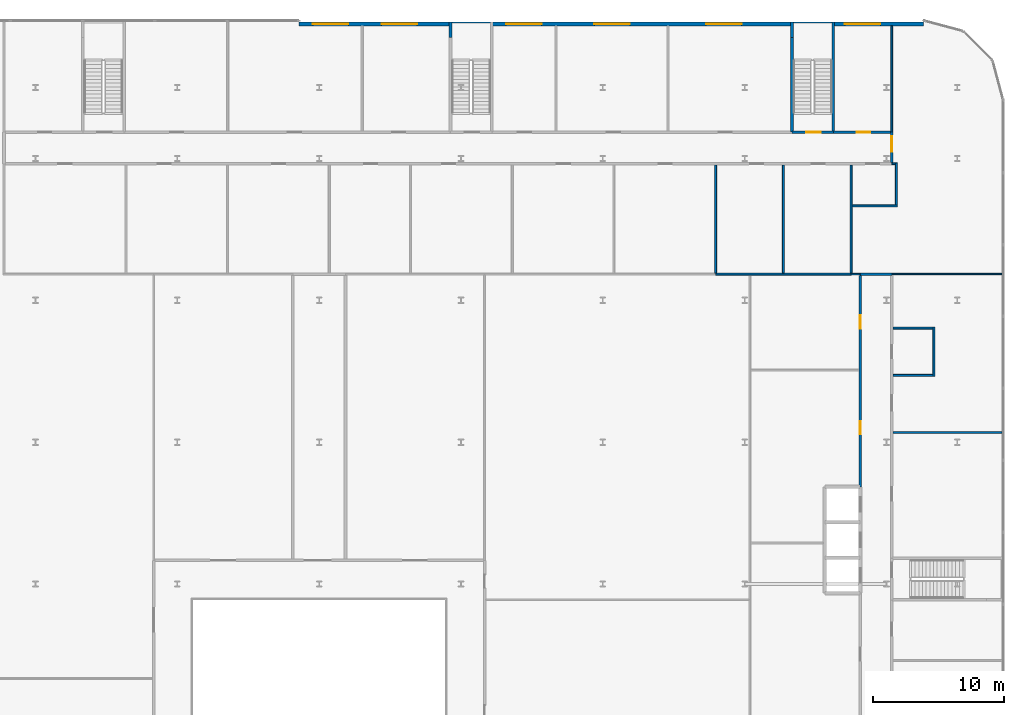
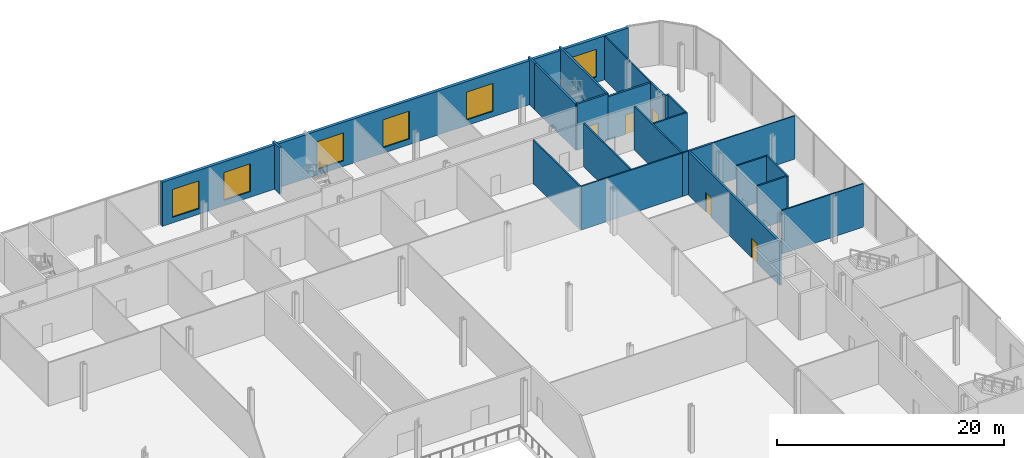
# One storey, part 35 of 47: 24 walls, 6 windows, 5 doors, 11 openings.
"""IFC4 building model written with IfcOpenShell, lengths in metres."""

from ifc_helpers import new_model, si_unit, direction, frame, frame_2d, origin, place, context, subcontext, project, spatial, rectangle, extrude, source, transform, mapped, material, layer, layer_set, type_object, element, fill, save


model = new_model("IFC4")

# Units and contexts
model_context = context("Model", 3, precision=1e-05, world=origin(), true_north=direction((0.0, 1.0)))
body_context = subcontext(model_context, "Body", "Model", "MODEL_VIEW")
ifc_project = project(units=[si_unit("LENGTHUNIT", "METRE"), si_unit("AREAUNIT", "SQUARE_METRE"), si_unit("VOLUMEUNIT", "CUBIC_METRE"), si_unit("PLANEANGLEUNIT", "RADIAN"), si_unit("MASSUNIT", "GRAM", prefix="KILO")], contexts=[model_context])

# Site, building, storey
site_placement = place(None, origin())
site = spatial("IfcSite", under=ifc_project, at=site_placement, CompositionType="ELEMENT")
building_placement = place(site_placement, origin())
building = spatial("IfcBuilding", under=site, at=building_placement, Name="Kheshtan School and Residences Tower", CompositionType="ELEMENT")
storey_placement = place(building_placement, frame((0.0, 0.0, 7.5)))
storey = spatial("IfcBuildingStorey", under=building, at=storey_placement, Name="L01", CompositionType="ELEMENT", Elevation=7.5)

# Walls
ifc_material_1 = material(Name="Gypsum board on steel studs with mineral wool", Category="steel")
ifc_layer_1 = layer(ifc_material_1, 0.125)
ifc_layer_set_1 = layer_set([ifc_layer_1], Name="Acoustic partition 125")
wall_type_1 = type_object("IfcWallType", Name="Acoustic partition 125", PredefinedType="PARTITIONING", material=ifc_layer_set_1)
wall_1_placement = place(storey_placement, frame((120.50390625, 90.800048828125, 0.0), z_axis=(0.0, 0.0, 1.0), x_axis=(1.0, 0.0, 0.0)))
element("IfcWall", 1, at=wall_1_placement, inside=storey, type_object=wall_type_1, Name="Partition L01-076", PredefinedType="PARTITIONING", context=body_context, shape_type="SweptSolid", body=[
    extrude(rectangle(XDim=0.696044921875, YDim=0.125, at=frame_2d((0.34814453125, 0.0))), origin(), (0.0, 0.0, 1.0), 4.679931640625),
])
wall_2_placement = place(storey_placement, frame((123.60009765625, 101.60009765625, 0.0), z_axis=(0.0, 0.0, 1.0), x_axis=(0.0, 1.0, 0.0)))
element("IfcWall", 2, at=wall_2_placement, inside=storey, type_object=wall_type_1, Name="Partition L01-090", PredefinedType="PARTITIONING", context=body_context, shape_type="SweptSolid", body=[
    extrude(rectangle(XDim=8.100830078125, YDim=0.125, at=frame_2d((4.05029296875, 0.0))), origin(), (0.0, 0.0, 1.0), 4.679931640625),
])
wall_3_placement = place(storey_placement, frame((123.699951171875, 78.738037109375, 0.0), z_axis=(0.0, 0.0, 1.0), x_axis=(1.0, 0.0, 0.0)))
element("IfcWall", 3, at=wall_3_placement, inside=storey, type_object=wall_type_1, Name="Partition L01-092", PredefinedType="PARTITIONING", context=body_context, shape_type="SweptSolid", body=[
    extrude(rectangle(XDim=8.300048828125, YDim=0.125, at=frame_2d((4.14990234375, 0.0))), origin(), (0.0, 0.0, 1.0), 4.679931640625),
])

# Wall, opening, door
ifc_material_2 = material(Name="Gypsum board on steel studs with fire boards", Category="steel")
ifc_layer_2 = layer(ifc_material_2, 0.199951171875)
ifc_layer_set_2 = layer_set([ifc_layer_2], Name="Corridor wall 200")
wall_type_2 = type_object("IfcWallType", Name="Corridor wall 200", PredefinedType="PARTITIONING", material=ifc_layer_set_2)
wall_4_placement = place(storey_placement, frame((119.14990234375, 101.60009765625, 0.0), z_axis=(0.0, 0.0, 1.0), x_axis=(1.0, 0.0, 0.0)))
wall_4 = element("IfcWall", 4, at=wall_4_placement, inside=storey, type_object=wall_type_2, Name="Partition L01-075", PredefinedType="PARTITIONING", context=body_context, shape_type="SweptSolid", body=[
    extrude(rectangle(XDim=4.35009765625, YDim=0.199951171875, at=frame_2d((2.175048828125, 0.0))), origin(), (0.0, 0.0, 1.0), 4.679931640625),
])
opening_1_placement = place(wall_4_placement, frame((1.800048828125, 0.0, 0.0)))
opening_1 = element("IfcOpeningElement", 5, at=opening_1_placement, cuts=wall_4, Name="Opening D01-031", PredefinedType="OPENING", context=body_context, shape_type="SweptSolid", body=[
    extrude(rectangle(XDim=1.0, YDim=2.10009765625, at=frame_2d((0.5, 1.050048828125))), frame((0.0, 0.10986328125, 0.0), z_axis=(0.0, -1.0, 0.0), x_axis=(1.0, 0.0, 0.0)), (0.0, 0.0, 1.0), 0.219970703125),
])
ifc_material_3 = material(Name="Steel-framed fire-resisting door leaf", Category="steel")
door_type_1 = type_object("IfcDoorType", Name="Fire door FD60 1000 x 2100", OperationType="SINGLE_SWING_LEFT", PredefinedType="DOOR", material=ifc_material_3)
shared_shape_1 = source(origin(), body_context, "Body", "SweptSolid", [
    extrude(rectangle(XDim=1.0, YDim=2.10009765625, at=frame_2d((0.5, 1.050048828125))), frame((0.0, 0.02490234375, 0.0), z_axis=(0.0, -1.0, 0.0), x_axis=(1.0, 0.0, 0.0)), (0.0, 0.0, 1.0), 0.050048828125),
])
door_1_placement = place(opening_1_placement, origin())
door_1 = element("IfcDoor", 6, at=door_1_placement, inside=storey, type_object=door_type_1, Name="Door D01-031", OperationType="SINGLE_SWING_RIGHT", OverallHeight=2.10009765625, OverallWidth=1.0, PredefinedType="DOOR", context=body_context, shape_type="MappedRepresentation", body=[
    mapped(shared_shape_1, transform((0.0, 0.0, 0.0), x_axis=(1.0, 0.0, 0.0), y_axis=(0.0, 1.0, 0.0), z_axis=(0.0, 0.0, 1.0), scale=1.0)),
])
fill(opening_1, door_1)

# Wall, openings, doors
wall_5_placement = place(storey_placement, frame((121.199951171875, 74.60009765625, 0.0), z_axis=(0.0, 0.0, 1.0), x_axis=(0.0, 1.0, 0.0)))
wall_5 = element("IfcWall", 7, at=wall_5_placement, inside=storey, type_object=wall_type_2, Name="Partition L01-082", PredefinedType="PARTITIONING", context=body_context, shape_type="SweptSolid", body=[
    extrude(rectangle(XDim=16.099853515625, YDim=0.199951171875, at=frame_2d((8.0498046875, 0.0))), origin(), (0.0, 0.0, 1.0), 4.679931640625),
])
opening_2_placement = place(wall_5_placement, frame((3.987060546875, 0.0, 0.0)))
opening_2 = element("IfcOpeningElement", 8, at=opening_2_placement, cuts=wall_5, Name="Opening D01-003", PredefinedType="OPENING", context=body_context, shape_type="SweptSolid", body=[
    extrude(rectangle(XDim=1.0, YDim=2.10009765625, at=frame_2d((0.5, 1.050048828125))), frame((0.0, 0.10986328125, 0.0), z_axis=(0.0, -1.0, 0.0), x_axis=(1.0, 0.0, 0.0)), (0.0, 0.0, 1.0), 0.219970703125),
])
opening_3_placement = place(wall_5_placement, frame((12.050048828125, 0.0, 0.0)))
opening_3 = element("IfcOpeningElement", 9, at=opening_3_placement, cuts=wall_5, Name="Opening D01-004", PredefinedType="OPENING", context=body_context, shape_type="SweptSolid", body=[
    extrude(rectangle(XDim=1.0, YDim=2.10009765625, at=frame_2d((0.5, 1.050048828125))), frame((0.0, 0.10986328125, 0.0), z_axis=(0.0, -1.0, 0.0), x_axis=(1.0, 0.0, 0.0)), (0.0, 0.0, 1.0), 0.219970703125),
])
door_2_placement = place(opening_2_placement, origin())
door_2 = element("IfcDoor", 10, at=door_2_placement, inside=storey, type_object=door_type_1, Name="Door D01-003", OperationType="SINGLE_SWING_LEFT", OverallHeight=2.10009765625, OverallWidth=1.0, PredefinedType="DOOR", context=body_context, shape_type="MappedRepresentation", body=[
    mapped(shared_shape_1, transform((0.0, 0.0, 0.0), x_axis=(1.0, 0.0, 0.0), y_axis=(0.0, 1.0, 0.0), z_axis=(0.0, 0.0, 1.0), scale=1.0)),
])
fill(opening_2, door_2)
door_3_placement = place(opening_3_placement, origin())
door_3 = element("IfcDoor", 11, at=door_3_placement, inside=storey, type_object=door_type_1, Name="Door D01-004", OperationType="SINGLE_SWING_RIGHT", OverallHeight=2.10009765625, OverallWidth=1.0, PredefinedType="DOOR", context=body_context, shape_type="MappedRepresentation", body=[
    mapped(shared_shape_1, transform((0.0, 0.0, 0.0), x_axis=(1.0, 0.0, 0.0), y_axis=(0.0, 1.0, 0.0), z_axis=(0.0, 0.0, 1.0), scale=1.0)),
])
fill(opening_3, door_3)

# Wall
wall_6_placement = place(storey_placement, frame((121.199951171875, 90.800048828125, 0.0), z_axis=(0.0, 0.0, 1.0), x_axis=(1.0, 0.0, 0.0)))
element("IfcWall", 12, at=wall_6_placement, inside=storey, type_object=wall_type_2, Name="Partition L01-083", PredefinedType="PARTITIONING", context=body_context, shape_type="SweptSolid", body=[
    extrude(rectangle(XDim=2.400146484375, YDim=0.199951171875, at=frame_2d((1.2001953125, 0.0))), origin(), (0.0, 0.0, 1.0), 4.679931640625),
])

# Wall, opening, door
wall_7_placement = place(storey_placement, frame((123.60009765625, 99.300048828125, 0.0), z_axis=(0.0, 0.0, 1.0), x_axis=(0.0, 1.0, 0.0)))
wall_7 = element("IfcWall", 13, at=wall_7_placement, inside=storey, type_object=wall_type_2, Name="Partition L01-089", PredefinedType="PARTITIONING", context=body_context, shape_type="SweptSolid", body=[
    extrude(rectangle(XDim=2.300048828125, YDim=0.199951171875, at=frame_2d((1.14990234375, 0.0))), origin(), (0.0, 0.0, 1.0), 4.679931640625),
])
opening_4_placement = place(wall_7_placement, frame((0.800048828125, 0.0, 0.0)))
opening_4 = element("IfcOpeningElement", 14, at=opening_4_placement, cuts=wall_7, Name="Opening D01-015", PredefinedType="OPENING", context=body_context, shape_type="SweptSolid", body=[
    extrude(rectangle(XDim=1.199951171875, YDim=2.10009765625, at=frame_2d((0.60009765625, 1.050048828125))), frame((0.0, 0.10986328125, 0.0), z_axis=(0.0, -1.0, 0.0), x_axis=(1.0, 0.0, 0.0)), (0.0, 0.0, 1.0), 0.219970703125),
])
door_type_2 = type_object("IfcDoorType", Name="Fire door FD60 1200 x 2100", OperationType="SINGLE_SWING_LEFT", PredefinedType="DOOR", material=ifc_material_3)
shared_shape_2 = source(origin(), body_context, "Body", "SweptSolid", [
    extrude(rectangle(XDim=1.199951171875, YDim=2.10009765625, at=frame_2d((0.60009765625, 1.050048828125))), frame((0.0, 0.02490234375, 0.0), z_axis=(0.0, -1.0, 0.0), x_axis=(1.0, 0.0, 0.0)), (0.0, 0.0, 1.0), 0.050048828125),
])
door_4_placement = place(opening_4_placement, origin())
door_4 = element("IfcDoor", 15, at=door_4_placement, inside=storey, type_object=door_type_2, Name="Door D01-015", OperationType="SINGLE_SWING_RIGHT", OverallHeight=2.10009765625, OverallWidth=1.199951171875, PredefinedType="DOOR", context=body_context, shape_type="MappedRepresentation", body=[
    mapped(shared_shape_2, transform((0.0, 0.0, 0.0), x_axis=(1.0, 0.0, 0.0), y_axis=(0.0, 1.0, 0.0), z_axis=(0.0, 0.0, 1.0), scale=1.0)),
])
fill(opening_4, door_4)

# Wall
ifc_material_4 = material(Name="Gypsum board on steel studs", Category="steel")
ifc_layer_3 = layer(ifc_material_4, 0.10009765625)
ifc_layer_set_3 = layer_set([ifc_layer_3], Name="Gypsum partition 100")
wall_type_3 = type_object("IfcWallType", Name="Gypsum partition 100", PredefinedType="PARTITIONING", material=ifc_layer_set_3)
wall_8_placement = place(storey_placement, frame((123.60009765625, 90.800048828125, 0.0), z_axis=(0.0, 0.0, 1.0), x_axis=(1.0, 0.0, 0.0)))
element("IfcWall", 16, at=wall_8_placement, inside=storey, type_object=wall_type_3, Name="Partition L01-087", PredefinedType="PARTITIONING", context=body_context, shape_type="SweptSolid", body=[
    extrude(rectangle(XDim=8.39990234375, YDim=0.10009765625, at=frame_2d((4.199951171875, 0.0))), origin(), (0.0, 0.0, 1.0), 4.679931640625),
])

# Wall, openings, windows
ifc_material_5 = material(Name="Concrete C40/50 with ceramic cladding and mineral wool insulation", Category="concrete")
ifc_layer_4 = layer(ifc_material_5, 0.300048828125)
ifc_layer_set_4 = layer_set([ifc_layer_4], Name="Podium external wall 300")
wall_type_4 = type_object("IfcWallType", Name="Podium external wall 300", PredefinedType="SOLIDWALL", material=ifc_layer_set_4)
wall_9_placement = place(storey_placement, frame((78.47998046875, 109.85009765625, 0.0), z_axis=(0.0, 0.0, 1.0), x_axis=(1.0, 0.0, 0.0)))
wall_9 = element("IfcWall", 17, at=wall_9_placement, inside=storey, type_object=wall_type_4, Name="Podium external wall L01 4.1", PredefinedType="SOLIDWALL", context=body_context, shape_type="SweptSolid", body=[
    extrude(rectangle(XDim=47.52001953125, YDim=0.300048828125, at=frame_2d((23.760009765625, 0.0))), origin(), (0.0, 0.0, 1.0), 4.75),
])
opening_5_placement = place(wall_9_placement, frame((1.044921875, 0.0, 0.60009765625)))
opening_5 = element("IfcOpeningElement", 18, at=opening_5_placement, cuts=wall_9, Name="Opening WN-F", PredefinedType="OPENING", context=body_context, shape_type="SweptSolid", body=[
    extrude(rectangle(XDim=2.699951171875, YDim=3.0, at=frame_2d((1.35009765625, 1.5))), frame((0.0, 0.16015625, 0.0), z_axis=(0.0, -1.0, 0.0), x_axis=(1.0, 0.0, 0.0)), (0.0, 0.0, 1.0), 0.320068359375),
])
opening_6_placement = place(wall_9_placement, frame((6.280029296875, 0.0, 0.60009765625)))
opening_6 = element("IfcOpeningElement", 19, at=opening_6_placement, cuts=wall_9, Name="Opening WN-F", PredefinedType="OPENING", context=body_context, shape_type="SweptSolid", body=[
    extrude(rectangle(XDim=2.699951171875, YDim=3.0, at=frame_2d((1.35009765625, 1.5))), frame((0.0, 0.16015625, 0.0), z_axis=(0.0, -1.0, 0.0), x_axis=(1.0, 0.0, 0.0)), (0.0, 0.0, 1.0), 0.320068359375),
])
opening_7_placement = place(wall_9_placement, frame((15.764892578125, 0.0, 0.60009765625)))
opening_7 = element("IfcOpeningElement", 20, at=opening_7_placement, cuts=wall_9, Name="Opening WN-F", PredefinedType="OPENING", context=body_context, shape_type="SweptSolid", body=[
    extrude(rectangle(XDim=2.699951171875, YDim=3.0, at=frame_2d((1.35009765625, 1.5))), frame((0.0, 0.16015625, 0.0), z_axis=(0.0, -1.0, 0.0), x_axis=(1.0, 0.0, 0.0)), (0.0, 0.0, 1.0), 0.320068359375),
])
opening_8_placement = place(wall_9_placement, frame((22.469970703125, 0.0, 0.60009765625)))
opening_8 = element("IfcOpeningElement", 21, at=opening_8_placement, cuts=wall_9, Name="Opening WN-F", PredefinedType="OPENING", context=body_context, shape_type="SweptSolid", body=[
    extrude(rectangle(XDim=2.699951171875, YDim=3.0, at=frame_2d((1.35009765625, 1.5))), frame((0.0, 0.16015625, 0.0), z_axis=(0.0, -1.0, 0.0), x_axis=(1.0, 0.0, 0.0)), (0.0, 0.0, 1.0), 0.320068359375),
])
opening_9_placement = place(wall_9_placement, frame((30.989990234375, 0.0, 0.60009765625)))
opening_9 = element("IfcOpeningElement", 22, at=opening_9_placement, cuts=wall_9, Name="Opening WN-F", PredefinedType="OPENING", context=body_context, shape_type="SweptSolid", body=[
    extrude(rectangle(XDim=2.699951171875, YDim=3.0, at=frame_2d((1.35009765625, 1.5))), frame((0.0, 0.16015625, 0.0), z_axis=(0.0, -1.0, 0.0), x_axis=(1.0, 0.0, 0.0)), (0.0, 0.0, 1.0), 0.320068359375),
])
opening_10_placement = place(wall_9_placement, frame((41.544921875, 0.0, 0.60009765625)))
opening_10 = element("IfcOpeningElement", 23, at=opening_10_placement, cuts=wall_9, Name="Opening WN-F", PredefinedType="OPENING", context=body_context, shape_type="SweptSolid", body=[
    extrude(rectangle(XDim=2.699951171875, YDim=3.0, at=frame_2d((1.35009765625, 1.5))), frame((0.0, 0.16015625, 0.0), z_axis=(0.0, -1.0, 0.0), x_axis=(1.0, 0.0, 0.0)), (0.0, 0.0, 1.0), 0.320068359375),
])
ifc_material_6 = material(Name="Clear low-e glass in thermally broken aluminium frame", Category="aluminium")
window_type = type_object("IfcWindowType", Name="Window WN-F", PartitioningType="SINGLE_PANEL", PredefinedType="WINDOW", material=ifc_material_6)
shared_shape_3 = source(origin(), body_context, "Body", "SweptSolid", [
    extrude(rectangle(XDim=2.699951171875, YDim=3.0, at=frame_2d((1.35009765625, 1.5))), frame((0.0, 0.030029296875, 0.0), z_axis=(0.0, -1.0, 0.0), x_axis=(1.0, 0.0, 0.0)), (0.0, 0.0, 1.0), 0.06005859375),
])
window_1_placement = place(opening_5_placement, origin())
window_1 = element("IfcWindow", 24, at=window_1_placement, inside=storey, type_object=window_type, Name="Window L01 4.1.1", OverallHeight=3.0, OverallWidth=2.699951171875, PartitioningType="SINGLE_PANEL", PredefinedType="WINDOW", context=body_context, shape_type="MappedRepresentation", body=[
    mapped(shared_shape_3, transform((0.0, 0.0, 0.0), x_axis=(1.0, 0.0, 0.0), y_axis=(0.0, 1.0, 0.0), z_axis=(0.0, 0.0, 1.0), scale=1.0)),
])
fill(opening_5, window_1)
window_2_placement = place(opening_6_placement, origin())
window_2 = element("IfcWindow", 25, at=window_2_placement, inside=storey, type_object=window_type, Name="Window L01 4.1.2", OverallHeight=3.0, OverallWidth=2.699951171875, PartitioningType="SINGLE_PANEL", PredefinedType="WINDOW", context=body_context, shape_type="MappedRepresentation", body=[
    mapped(shared_shape_3, transform((0.0, 0.0, 0.0), x_axis=(1.0, 0.0, 0.0), y_axis=(0.0, 1.0, 0.0), z_axis=(0.0, 0.0, 1.0), scale=1.0)),
])
fill(opening_6, window_2)
window_3_placement = place(opening_7_placement, origin())
window_3 = element("IfcWindow", 26, at=window_3_placement, inside=storey, type_object=window_type, Name="Window L01 4.1.3", OverallHeight=3.0, OverallWidth=2.699951171875, PartitioningType="SINGLE_PANEL", PredefinedType="WINDOW", context=body_context, shape_type="MappedRepresentation", body=[
    mapped(shared_shape_3, transform((0.0, 0.0, 0.0), x_axis=(1.0, 0.0, 0.0), y_axis=(0.0, 1.0, 0.0), z_axis=(0.0, 0.0, 1.0), scale=1.0)),
])
fill(opening_7, window_3)
window_4_placement = place(opening_8_placement, origin())
window_4 = element("IfcWindow", 27, at=window_4_placement, inside=storey, type_object=window_type, Name="Window L01 4.1.4", OverallHeight=3.0, OverallWidth=2.699951171875, PartitioningType="SINGLE_PANEL", PredefinedType="WINDOW", context=body_context, shape_type="MappedRepresentation", body=[
    mapped(shared_shape_3, transform((0.0, 0.0, 0.0), x_axis=(1.0, 0.0, 0.0), y_axis=(0.0, 1.0, 0.0), z_axis=(0.0, 0.0, 1.0), scale=1.0)),
])
fill(opening_8, window_4)
window_5_placement = place(opening_9_placement, origin())
window_5 = element("IfcWindow", 28, at=window_5_placement, inside=storey, type_object=window_type, Name="Window L01 4.1.5", OverallHeight=3.0, OverallWidth=2.699951171875, PartitioningType="SINGLE_PANEL", PredefinedType="WINDOW", context=body_context, shape_type="MappedRepresentation", body=[
    mapped(shared_shape_3, transform((0.0, 0.0, 0.0), x_axis=(1.0, 0.0, 0.0), y_axis=(0.0, 1.0, 0.0), z_axis=(0.0, 0.0, 1.0), scale=1.0)),
])
fill(opening_9, window_5)
window_6_placement = place(opening_10_placement, origin())
window_6 = element("IfcWindow", 29, at=window_6_placement, inside=storey, type_object=window_type, Name="Window L01 4.1.6", OverallHeight=3.0, OverallWidth=2.699951171875, PartitioningType="SINGLE_PANEL", PredefinedType="WINDOW", context=body_context, shape_type="MappedRepresentation", body=[
    mapped(shared_shape_3, transform((0.0, 0.0, 0.0), x_axis=(1.0, 0.0, 0.0), y_axis=(0.0, 1.0, 0.0), z_axis=(0.0, 0.0, 1.0), scale=1.0)),
])
fill(opening_10, window_6)

# Wall
ifc_material_7 = material(Name="Concrete C40/50", Category="concrete")
ifc_layer_5 = layer(ifc_material_7, 0.199951171875)
ifc_layer_set_5 = layer_set([ifc_layer_5], Name="Stair enclosure wall 200 Concrete C40/50")
wall_type_5 = type_object("IfcWallType", Name="Stair enclosure wall 200 Concrete C40/50", PredefinedType="SHEAR", material=ifc_layer_set_5)
wall_10_placement = place(storey_placement, frame((90.0, 108.800048828125, 0.0), z_axis=(0.0, 0.0, 1.0), x_axis=(0.0, 1.0, 0.0)))
element("IfcWall", 30, at=wall_10_placement, inside=storey, type_object=wall_type_5, Name="Stair enclosure wall", PredefinedType="SHEAR", context=body_context, shape_type="SweptSolid", body=[
    extrude(rectangle(XDim=1.199951171875, YDim=0.199951171875, at=frame_2d((0.60009765625, 0.0))), origin(), (0.0, 0.0, 1.0), 5.0),
])

# Wall, opening, door
wall_11_placement = place(storey_placement, frame((116.0, 101.60009765625, 0.0), z_axis=(0.0, 0.0, 1.0), x_axis=(1.0, 0.0, 0.0)))
wall_11 = element("IfcWall", 31, at=wall_11_placement, inside=storey, type_object=wall_type_5, Name="Stair enclosure wall", PredefinedType="SHEAR", context=body_context, shape_type="SweptSolid", body=[
    extrude(rectangle(XDim=3.14990234375, YDim=0.199951171875, at=frame_2d((1.574951171875, 0.0))), origin(), (0.0, 0.0, 1.0), 5.0),
])
opening_11_placement = place(wall_11_placement, frame((1.10009765625, 0.0, 0.0)))
opening_11 = element("IfcOpeningElement", 32, at=opening_11_placement, cuts=wall_11, Name="Opening SD90", PredefinedType="OPENING", context=body_context, shape_type="SweptSolid", body=[
    extrude(rectangle(XDim=1.10009765625, YDim=2.199951171875, at=frame_2d((0.550048828125, 1.10009765625))), frame((0.0, 0.10986328125, 0.0), z_axis=(0.0, -1.0, 0.0), x_axis=(1.0, 0.0, 0.0)), (0.0, 0.0, 1.0), 0.219970703125),
])
ifc_material_8 = material(Name="Steel door leaf, galvanised", Category="steel")
door_type_3 = type_object("IfcDoorType", Name="Stair door 1100 steel 90 min", OperationType="SINGLE_SWING_LEFT", PredefinedType="DOOR", material=ifc_material_8)
shared_shape_4 = source(origin(), body_context, "Body", "SweptSolid", [
    extrude(rectangle(XDim=1.10009765625, YDim=2.199951171875, at=frame_2d((0.550048828125, 1.10009765625))), frame((0.0, 0.02490234375, 0.0), z_axis=(0.0, -1.0, 0.0), x_axis=(1.0, 0.0, 0.0)), (0.0, 0.0, 1.0), 0.050048828125),
])
door_5_placement = place(opening_11_placement, origin())
door_5 = element("IfcDoor", 33, at=door_5_placement, inside=storey, type_object=door_type_3, Name="Stair door", OperationType="SINGLE_SWING_RIGHT", OverallHeight=2.199951171875, OverallWidth=1.10009765625, PredefinedType="DOOR", context=body_context, shape_type="MappedRepresentation", body=[
    mapped(shared_shape_4, transform((0.0, 0.0, 0.0), x_axis=(1.0, 0.0, 0.0), y_axis=(0.0, 1.0, 0.0), z_axis=(0.0, 0.0, 1.0), scale=1.0)),
])
fill(opening_11, door_5)

# Walls
wall_12_placement = place(storey_placement, frame((116.0, 101.60009765625, 0.0), z_axis=(0.0, 0.0, 1.0), x_axis=(0.0, 1.0, 0.0)))
element("IfcWall", 34, at=wall_12_placement, inside=storey, type_object=wall_type_5, Name="Stair enclosure wall", PredefinedType="SHEAR", context=body_context, shape_type="SweptSolid", body=[
    extrude(rectangle(XDim=7.199951171875, YDim=0.199951171875, at=frame_2d((3.60009765625, 0.0))), origin(), (0.0, 0.0, 1.0), 5.0),
])
wall_13_placement = place(storey_placement, frame((116.0, 108.800048828125, 0.0), z_axis=(0.0, 0.0, 1.0), x_axis=(0.0, 1.0, 0.0)))
element("IfcWall", 35, at=wall_13_placement, inside=storey, type_object=wall_type_5, Name="Stair enclosure wall", PredefinedType="SHEAR", context=body_context, shape_type="SweptSolid", body=[
    extrude(rectangle(XDim=1.199951171875, YDim=0.199951171875, at=frame_2d((0.60009765625, 0.0))), origin(), (0.0, 0.0, 1.0), 5.0),
])
wall_14_placement = place(storey_placement, frame((119.14990234375, 101.60009765625, 0.0), z_axis=(0.0, 0.0, 1.0), x_axis=(0.0, 1.0, 0.0)))
element("IfcWall", 36, at=wall_14_placement, inside=storey, type_object=wall_type_5, Name="Stair enclosure wall", PredefinedType="SHEAR", context=body_context, shape_type="SweptSolid", body=[
    extrude(rectangle(XDim=8.39990234375, YDim=0.199951171875, at=frame_2d((4.199951171875, 0.0))), origin(), (0.0, 0.0, 1.0), 5.0),
])
ifc_material_9 = material(Name="Moisture-resistant gypsum board on steel studs", Category="steel")
ifc_layer_6 = layer(ifc_material_9, 0.14990234375)
ifc_layer_set_6 = layer_set([ifc_layer_6], Name="Wet-room partition 150")
wall_type_6 = type_object("IfcWallType", Name="Wet-room partition 150", PredefinedType="PARTITIONING", material=ifc_layer_set_6)
wall_15_placement = place(storey_placement, frame((110.18310546875, 90.800048828125, 0.0), z_axis=(0.0, 0.0, 1.0), x_axis=(1.0, 0.0, 0.0)))
element("IfcWall", 37, at=wall_15_placement, inside=storey, type_object=wall_type_6, Name="Partition L01-066", PredefinedType="PARTITIONING", context=body_context, shape_type="SweptSolid", body=[
    extrude(rectangle(XDim=10.32080078125, YDim=0.14990234375, at=frame_2d((5.160400390625, 0.0))), origin(), (0.0, 0.0, 1.0), 4.679931640625),
])
for number, where, z_axis, x_axis, name in (
    (38, (110.18310546875, 90.875, 0.0), (0.0, 0.0, 1.0), (0.0, 1.0, 0.0), "Partition L01-067"),
    (39, (115.343994140625, 90.875, 0.0), (0.0, 0.0, 1.0), (0.0, 1.0, 0.0), "Partition L01-073"),
    (40, (120.50390625, 90.875, 0.0), (0.0, 0.0, 1.0), (0.0, 1.0, 0.0), "Partition L01-077"),
):
    element("IfcWall", number, at=place(storey_placement, frame(where, z_axis=z_axis, x_axis=x_axis)), inside=storey, type_object=wall_type_6, Name=name, PredefinedType="PARTITIONING", context=body_context, shape_type="SweptSolid", body=[
        extrude(rectangle(XDim=8.22509765625, YDim=0.14990234375, at=frame_2d((4.112548828125, 0.0))), origin(), (0.0, 0.0, 1.0), 4.679931640625),
    ])
wall_16_placement = place(storey_placement, frame((120.5791015625, 96.0, 0.0), z_axis=(0.0, 0.0, 1.0), x_axis=(1.0, 0.0, 0.0)))
element("IfcWall", 41, at=wall_16_placement, inside=storey, type_object=wall_type_6, Name="Partition L01-078", PredefinedType="PARTITIONING", context=body_context, shape_type="SweptSolid", body=[
    extrude(rectangle(XDim=3.449951171875, YDim=0.14990234375, at=frame_2d((1.72509765625, 0.0))), origin(), (0.0, 0.0, 1.0), 4.679931640625),
])
wall_17_placement = place(storey_placement, frame((123.60009765625, 99.199951171875, 0.0), z_axis=(0.0, 0.0, 1.0), x_axis=(1.0, 0.0, 0.0)))
element("IfcWall", 42, at=wall_17_placement, inside=storey, type_object=wall_type_6, Name="Partition L01-088", PredefinedType="PARTITIONING", context=body_context, shape_type="SweptSolid", body=[
    extrude(rectangle(XDim=0.27880859375, YDim=0.14990234375, at=frame_2d((0.139404296875, 0.0))), origin(), (0.0, 0.0, 1.0), 4.679931640625),
])
for number, where, z_axis, x_axis, name in (
    (43, (123.699951171875, 83.087890625, 0.0), (0.0, 0.0, 1.0), (1.0, 0.0, 0.0), "Partition L01-093"),
    (44, (123.699951171875, 86.68798828125, 0.0), (0.0, 0.0, 1.0), (1.0, 0.0, 0.0), "Partition L01-094"),
):
    element("IfcWall", number, at=place(storey_placement, frame(where, z_axis=z_axis, x_axis=x_axis)), inside=storey, type_object=wall_type_6, Name=name, PredefinedType="PARTITIONING", context=body_context, shape_type="SweptSolid", body=[
        extrude(rectangle(XDim=3.025146484375, YDim=0.14990234375, at=frame_2d((1.5126953125, 0.0))), origin(), (0.0, 0.0, 1.0), 4.679931640625),
    ])
wall_18_placement = place(storey_placement, frame((123.9541015625, 96.074951171875, 0.0), z_axis=(0.0, 0.0, 1.0), x_axis=(0.0, 1.0, 0.0)))
element("IfcWall", 45, at=wall_18_placement, inside=storey, type_object=wall_type_6, Name="Partition L01-095", PredefinedType="PARTITIONING", context=body_context, shape_type="SweptSolid", body=[
    extrude(rectangle(XDim=3.199951171875, YDim=0.14990234375, at=frame_2d((1.60009765625, 0.0))), origin(), (0.0, 0.0, 1.0), 4.679931640625),
])
wall_19_placement = place(storey_placement, frame((126.800048828125, 83.012939453125, 0.0), z_axis=(0.0, 0.0, 1.0), x_axis=(0.0, 1.0, 0.0)))
element("IfcWall", 46, at=wall_19_placement, inside=storey, type_object=wall_type_6, Name="Partition L01-096", PredefinedType="PARTITIONING", context=body_context, shape_type="SweptSolid", body=[
    extrude(rectangle(XDim=3.75, YDim=0.14990234375, at=frame_2d((1.875, 0.0))), origin(), (0.0, 0.0, 1.0), 4.679931640625),
])

save(model, "model.ifc")
